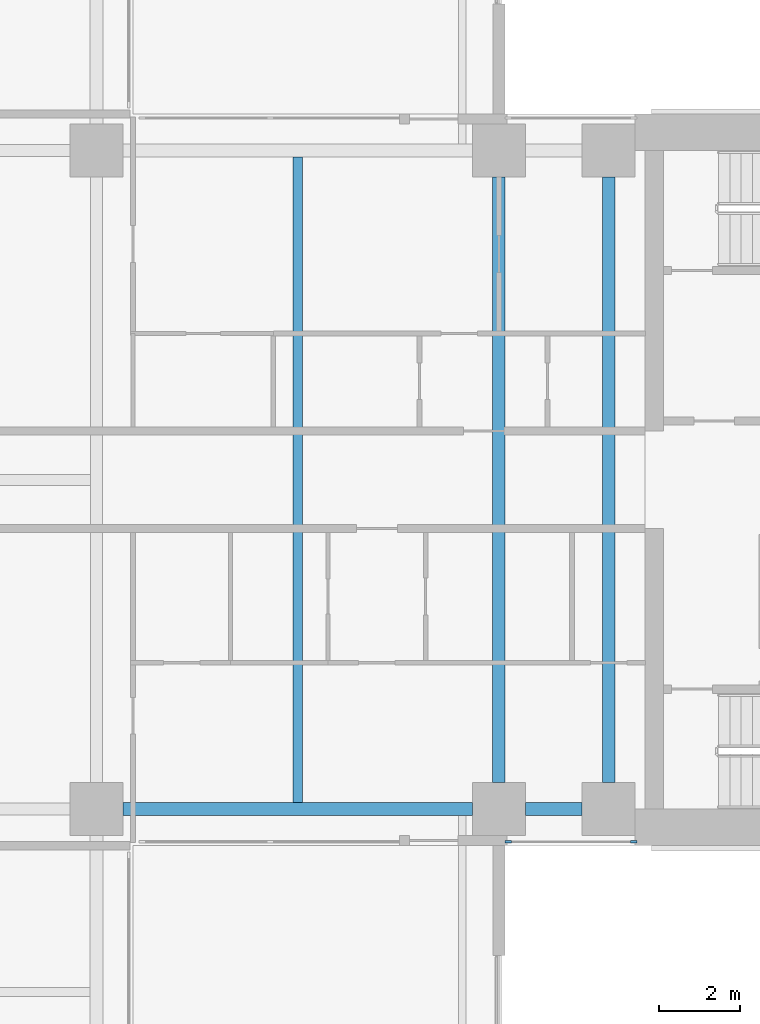
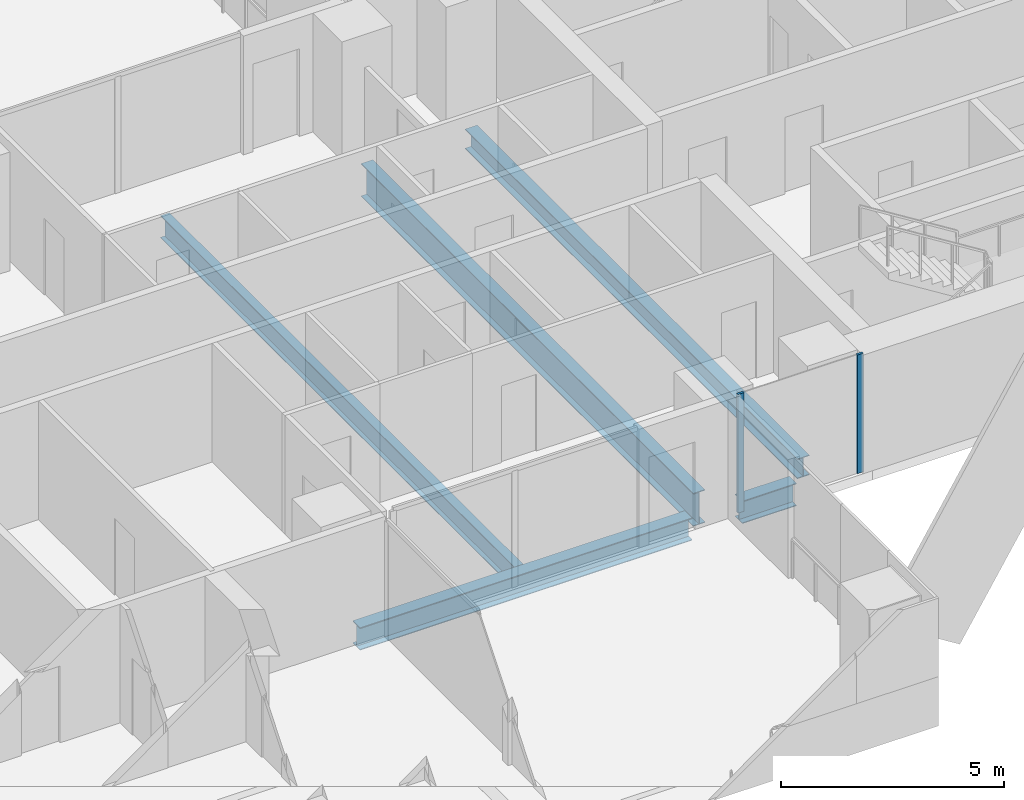
# One storey, part 5 of 21: 5 beams, 2 members, 1 element without a shape of its own.
"""IFC4 building model written with IfcOpenShell, lengths in metres."""

import ifcopenshell
import ifcopenshell.guid

model = None  # the IFC model being written
_history = None  # IfcOwnerHistory: only IFC2X3 demands one
_inside = {}  # id of a spatial element -> (the spatial element, [elements in it])
_under = {}  # id of a project, library or spatial element -> (it, [spatial elements below it])
_declared = {}  # id of a project -> (the project, [libraries it declares])
_typed = {}  # id of a type object -> (the type object, [elements of that type])
_made_of = {}  # id of a material, layer set ... -> (it, [elements and type objects made of it])


def new_model(schema):
    """Start an empty IFC model of exactly this schema.

    Asked for "IFC4X3", IfcOpenShell would pick the latest addendum, in which some entities
    have other attributes; the version numbers below select the first issue.
    IFC2X3 requires an IfcOwnerHistory on every rooted entity: one is made here for all.
    """
    global model, _history
    if schema == "IFC4X3":
        model = ifcopenshell.file(schema_version=(4, 3, 0, 0))
    else:
        model = ifcopenshell.file(schema=schema)
    _inside.clear()
    _under.clear()
    _declared.clear()
    _typed.clear()
    _made_of.clear()
    _history = None
    if model.schema == "IFC2X3":
        org = make("IfcOrganization", Name="unknown")
        user = make(
            "IfcPersonAndOrganization",
            ThePerson=make("IfcPerson", FamilyName="unknown"),
            TheOrganization=org,
        )
        app = make(
            "IfcApplication",
            ApplicationDeveloper=org,
            Version="unknown",
            ApplicationFullName="unknown",
            ApplicationIdentifier="unknown",
        )
        _history = make(
            "IfcOwnerHistory",
            OwningUser=user,
            OwningApplication=app,
            ChangeAction="ADDED",
            CreationDate=0,
        )
    return model


def make(cls, **values):
    """One entity of the class cls with the attributes given. An attribute that is None is left unset."""
    return model.create_entity(
        cls, **{name: value for name, value in values.items() if value is not None}
    )


def rooted(cls, **values):
    """An entity with a GlobalId (a new one), such as an element, a storey or a relation."""
    return make(cls, GlobalId=ifcopenshell.guid.new(), OwnerHistory=_history, **values)


def si_unit(unit_type, name, prefix=None):
    """IfcSIUnit, for example si_unit("LENGTHUNIT", "METRE", prefix="MILLI")."""
    return make("IfcSIUnit", UnitType=unit_type, Prefix=prefix, Name=name)


def assignment(units):
    """IfcUnitAssignment: the units of a project."""
    return None if units is None else make("IfcUnitAssignment", Units=units)


def point(xyz):
    """IfcCartesianPoint."""
    return None if xyz is None else make("IfcCartesianPoint", Coordinates=xyz)


def direction(xyz):
    """IfcDirection."""
    return None if xyz is None else make("IfcDirection", DirectionRatios=xyz)


def frame(location, z_axis=None, x_axis=None):
    """IfcAxis2Placement3D, a coordinate frame: its origin and axes. An axis left out is left unset."""
    return make(
        "IfcAxis2Placement3D",
        Location=point(location),
        Axis=direction(z_axis),
        RefDirection=direction(x_axis),
    )


def frame_2d(location, x_axis=None):
    """IfcAxis2Placement2D, a coordinate frame in the plane: its origin and x axis."""
    return make(
        "IfcAxis2Placement2D", Location=point(location), RefDirection=direction(x_axis)
    )


def origin():
    """The frame at (0, 0, 0) with its axes left unset."""
    return frame((0.0, 0.0, 0.0))


def origin_2d():
    """The frame at (0, 0) in the plane with its x axis left unset."""
    return frame_2d((0.0, 0.0))


def place(relative_to, where):
    """IfcLocalPlacement: puts the frame where relative to a parent placement (None: the world)."""
    return make(
        "IfcLocalPlacement", PlacementRelTo=relative_to, RelativePlacement=where
    )


def context(
    kind, dimensions, precision=None, world=None, true_north=None, identifier=None
):
    """IfcGeometricRepresentationContext, for example the 3D "Model" context."""
    return make(
        "IfcGeometricRepresentationContext",
        ContextIdentifier=identifier,
        ContextType=kind,
        CoordinateSpaceDimension=dimensions,
        Precision=precision,
        WorldCoordinateSystem=world,
        TrueNorth=true_north,
    )


def subcontext(parent, identifier, kind, view, scale=None):
    """IfcGeometricRepresentationSubContext, for example "Body" below "Model"."""
    return make(
        "IfcGeometricRepresentationSubContext",
        ContextIdentifier=identifier,
        ContextType=kind,
        ParentContext=parent,
        TargetScale=scale,
        TargetView=view,
    )


def project(units=None, contexts=None):
    """IfcProject with its units and contexts."""
    return rooted(
        "IfcProject",
        Name="project",
        RepresentationContexts=contexts,
        UnitsInContext=assignment(units),
    )


def spatial(cls, under=None, at=None, **own):
    """A site, building, storey or space (cls), placed at a placement, below another one or the project."""
    s = rooted(cls, ObjectPlacement=at, **own)
    if under is not None:
        _under.setdefault(under.id(), (under, []))[1].append(s)
    return s


def profile(cls, at=None, kind="AREA", **sizes):
    """A parametric profile (cls). Its sizes go by their IFC names, for example OverallWidth=200.0."""
    return make(cls, ProfileType=kind, Position=at, **sizes)


def rectangle(**sizes):
    """IfcRectangleProfileDef."""
    return profile("IfcRectangleProfileDef", **sizes)


def i_section(**sizes):
    """IfcIShapeProfileDef."""
    return profile("IfcIShapeProfileDef", **sizes)


def extrude(swept, where, along, depth):
    """IfcExtrudedAreaSolid: the profile swept, set in the frame where, extruded along a direction by depth."""
    return make(
        "IfcExtrudedAreaSolid",
        SweptArea=swept,
        Position=where,
        ExtrudedDirection=direction(along),
        Depth=depth,
    )


def shape(context_of_items, identifier, shape_type, items):
    """IfcShapeRepresentation: the items that make up one representation, for example the "Body"."""
    return make(
        "IfcShapeRepresentation",
        ContextOfItems=context_of_items,
        RepresentationIdentifier=identifier,
        RepresentationType=shape_type,
        Items=items,
    )


def material(Name=None, Category=None):
    """IfcMaterial."""
    return make("IfcMaterial", Name=Name, Category=Category)


def material_profile(
    of_material, cross_section, Name=None, Category=None, Priority=None
):
    """IfcMaterialProfile: a cross section and its material."""
    return make(
        "IfcMaterialProfile",
        Name=Name,
        Material=of_material,
        Profile=cross_section,
        Priority=Priority,
        Category=Category,
    )


def profile_set(profiles, Name=None, composite=None):
    """IfcMaterialProfileSet."""
    return make(
        "IfcMaterialProfileSet",
        Name=Name,
        MaterialProfiles=profiles,
        CompositeProfile=composite,
    )


def made_of(thing, what):
    """Note that an element or type object is made of a material, layer set ...; save() writes the relation."""
    if what is not None:
        _made_of.setdefault(what.id(), (what, []))[1].append(thing)
    return thing


def type_object(cls, material=None, **own):
    """A type object (cls), such as IfcWallType, which elements share."""
    return made_of(rooted(cls, **own), material)


def element(
    cls,
    number,
    at=None,
    inside=None,
    cuts=None,
    type_object=None,
    material=None,
    context=None,
    identifier="Body",
    shape_type=None,
    held_by="IfcProductDefinitionShape",
    body=None,
    shapes=None,
    **own,
):
    """One element of the class cls, such as IfcWall. Its Tag is "e" and its number.

    at: its placement. inside: the storey or other place that contains it. cuts: it is an
    opening in that element (IfcRelVoidsElement). A single representation is given by context,
    identifier, shape_type and body (its items); several are given by shapes. held_by: the class
    of the entity that holds the representations. save() writes the other relations.
    """
    e = rooted(cls, Tag="e%d" % number, ObjectPlacement=at, **own)
    if body is not None:
        shapes = [shape(context, identifier, shape_type, body)]
    if shapes is not None:
        e.Representation = make(held_by, Representations=shapes)
    if inside is not None:
        _inside.setdefault(inside.id(), (inside, []))[1].append(e)
    if cuts is not None:
        rooted(
            "IfcRelVoidsElement", RelatingBuildingElement=cuts, RelatedOpeningElement=e
        )
    if type_object is not None:
        _typed.setdefault(type_object.id(), (type_object, []))[1].append(e)
    return made_of(e, material)


def aggregate(whole, parts):
    """IfcRelAggregates: a whole, such as a stair, and the parts it consists of."""
    return rooted("IfcRelAggregates", RelatingObject=whole, RelatedObjects=parts)


def save(model, path):
    """Write the relations noted so far, then the file.

    IfcRelAggregates (storeys below a building ...), IfcRelContainedInSpatialStructure (elements
    in a storey), IfcRelDefinesByType, IfcRelAssociatesMaterial and IfcRelDeclares: one each for
    every whole, place, type object, material and project.
    """
    for whole, parts in _under.values():
        aggregate(whole, parts)
    for where, things in _inside.values():
        rooted(
            "IfcRelContainedInSpatialStructure",
            RelatedElements=things,
            RelatingStructure=where,
        )
    for kind, things in _typed.values():
        rooted("IfcRelDefinesByType", RelatedObjects=things, RelatingType=kind)
    for what, things in _made_of.values():
        rooted("IfcRelAssociatesMaterial", RelatedObjects=things, RelatingMaterial=what)
    for by, libraries in _declared.values():
        rooted("IfcRelDeclares", RelatingContext=by, RelatedDefinitions=libraries)
    model.write(path)


model = new_model("IFC4")

# Units and contexts
model_context = context("Model", 3, precision=1e-05, world=origin(), true_north=direction((0.0, 1.0)))
body_context = subcontext(model_context, "Body", "Model", "MODEL_VIEW")
ifc_project = project(units=[si_unit("LENGTHUNIT", "METRE"), si_unit("AREAUNIT", "SQUARE_METRE"), si_unit("VOLUMEUNIT", "CUBIC_METRE"), si_unit("PLANEANGLEUNIT", "RADIAN"), si_unit("MASSUNIT", "GRAM", prefix="KILO")], contexts=[model_context])

# Site, building, storey
site_placement = place(None, origin())
site = spatial("IfcSite", under=ifc_project, at=site_placement, CompositionType="ELEMENT")
building_placement = place(site_placement, origin())
building = spatial("IfcBuilding", under=site, at=building_placement, Name="Perihelion Cross Residences", CompositionType="ELEMENT")
storey_placement = place(building_placement, frame((0.0, 0.0, 75.0)))
storey = spatial("IfcBuildingStorey", under=building, at=storey_placement, Name="L16", CompositionType="ELEMENT", Elevation=75.0)

# Curtain wall, members
ifc_material_1 = material(Name="Bronze anodised aluminium, tinted glazing", Category="aluminium")
curtain_wall_type = type_object("IfcCurtainWallType", Name="CW1", PredefinedType="NOTDEFINED", material=ifc_material_1)
curtain_wall_placement = place(storey_placement, origin())
curtain_wall = element("IfcCurtainWall", 1, at=curtain_wall_placement, inside=storey, type_object=curtain_wall_type, Name="Curtain wall CW1 L16 east side south bay 2", PredefinedType="NOTDEFINED")
ifc_material_2 = material(Name="Bronze anodised aluminium", Category="aluminium")
ifc_material_profile_1 = material_profile(ifc_material_2, rectangle(XDim=0.06005859375, YDim=0.159912109375, at=origin_2d()), Name="CW1 mullion")
ifc_profile_set_1 = profile_set([ifc_material_profile_1], Name="Bronze anodised aluminium")
member_type = type_object("IfcMemberType", Name="CW1 mullion", PredefinedType="MULLION", material=ifc_profile_set_1)
member_1_placement = place(storey_placement, frame((18.22998046875, -8.89990234375, 0.0), z_axis=(0.0, 0.0, 1.0), x_axis=(0.0, 1.0, 0.0)))
member_1 = element("IfcMember", 2, at=member_1_placement, type_object=member_type, Name="CW1 mullion 1", PredefinedType="MULLION", context=body_context, shape_type="SweptSolid", body=[
    extrude(rectangle(XDim=0.06005859375, YDim=0.159912109375, at=origin_2d()), origin(), (0.0, 0.0, 1.0), 3.25),
])
member_2_placement = place(storey_placement, frame((21.320068359375, -8.89990234375, 0.0), z_axis=(0.0, 0.0, 1.0), x_axis=(0.0, 1.0, 0.0)))
member_2 = element("IfcMember", 3, at=member_2_placement, type_object=member_type, Name="CW1 mullion 2", PredefinedType="MULLION", context=body_context, shape_type="SweptSolid", body=[
    extrude(rectangle(XDim=0.06005859375, YDim=0.159912109375, at=origin_2d()), origin(), (0.0, 0.0, 1.0), 3.25),
])
aggregate(curtain_wall, [member_1, member_2])

# Beams
ifc_material_3 = material(Name="Steel S355", Category="steel")
ifc_material_profile_2 = material_profile(ifc_material_3, i_section(OverallWidth=0.31201171875, OverallDepth=0.5439453125, WebThickness=0.0126953125, FlangeThickness=0.020263671875, at=origin_2d()), Name="W530x150")
ifc_profile_set_2 = profile_set([ifc_material_profile_2], Name="Steel S355")
beam_type_1 = type_object("IfcBeamType", Name="Core edge beam W530x150", PredefinedType="BEAM", material=ifc_profile_set_2)
beam_1_placement = place(storey_placement, frame((20.699951171875, -7.449951171875, -0.52197265625), z_axis=(0.0, 1.0, 0.0), x_axis=(-1.0, 0.0, 0.0)))
element("IfcBeam", 4, at=beam_1_placement, inside=storey, type_object=beam_type_1, Name="Core edge beam TB4 L16 no. 2", PredefinedType="BEAM", context=body_context, shape_type="SweptSolid", body=[
    extrude(i_section(OverallWidth=0.31201171875, OverallDepth=0.5439453125, WebThickness=0.0126953125, FlangeThickness=0.020263671875, at=origin_2d()), origin(), (0.0, 0.0, 1.0), 14.89990234375),
])
ifc_material_4 = material(Name="Steel S355", Category="steel")
ifc_material_profile_3 = material_profile(ifc_material_4, i_section(OverallWidth=0.324951171875, OverallDepth=0.616943359375, WebThickness=0.013916015625, FlangeThickness=0.021484375, at=origin_2d()), Name="W610x174")
ifc_profile_set_3 = profile_set([ifc_material_profile_3], Name="Steel S355")
beam_type_2 = type_object("IfcBeamType", Name="Edge beam W610x174", PredefinedType="SPANDREL", material=ifc_profile_set_3)
beam_2_placement = place(storey_placement, frame((8.75, -8.10009765625, -0.55859375), z_axis=(1.0, 0.0, 0.0), x_axis=(0.0, 1.0, 0.0)))
element("IfcBeam", 5, at=beam_2_placement, inside=storey, type_object=beam_type_2, Name="Edge beam SB2 L16 no. 18", PredefinedType="SPANDREL", context=body_context, shape_type="SweptSolid", body=[
    extrude(i_section(OverallWidth=0.324951171875, OverallDepth=0.616943359375, WebThickness=0.013916015625, FlangeThickness=0.021484375, at=origin_2d()), origin(), (0.0, 0.0, 1.0), 8.60009765625),
])
beam_3_placement = place(storey_placement, frame((18.64990234375, -8.10009765625, -0.55859375), z_axis=(1.0, 0.0, 0.0), x_axis=(0.0, 1.0, 0.0)))
element("IfcBeam", 6, at=beam_3_placement, inside=storey, type_object=beam_type_2, Name="Edge beam SB2 L16 no. 12", PredefinedType="SPANDREL", context=body_context, shape_type="SweptSolid", body=[
    extrude(i_section(OverallWidth=0.324951171875, OverallDepth=0.616943359375, WebThickness=0.013916015625, FlangeThickness=0.021484375, at=origin_2d()), origin(), (0.0, 0.0, 1.0), 1.400146484375),
])
ifc_material_5 = material(Name="Steel S355", Category="steel")
ifc_material_profile_4 = material_profile(ifc_material_5, i_section(OverallWidth=0.304931640625, OverallDepth=0.904052734375, WebThickness=0.01513671875, FlangeThickness=0.02001953125, at=origin_2d()), Name="W920x201")
ifc_profile_set_4 = profile_set([ifc_material_profile_4], Name="Steel S355")
beam_type_3 = type_object("IfcBeamType", Name="Floor girder W920x201", PredefinedType="BEAM", material=ifc_profile_set_4)
beam_4_placement = place(storey_placement, frame((18.0, -7.449951171875, -0.701904296875), z_axis=(0.0, 1.0, 0.0), x_axis=(-1.0, 0.0, 0.0)))
element("IfcBeam", 7, at=beam_4_placement, inside=storey, type_object=beam_type_3, Name="Girder G2 L16 no. 2", PredefinedType="BEAM", context=body_context, shape_type="SweptSolid", body=[
    extrude(i_section(OverallWidth=0.304931640625, OverallDepth=0.904052734375, WebThickness=0.01513671875, FlangeThickness=0.02001953125, at=origin_2d()), origin(), (0.0, 0.0, 1.0), 14.89990234375),
])
ifc_material_6 = material(Name="Steel S355", Category="steel")
ifc_material_profile_5 = material_profile(ifc_material_6, i_section(OverallWidth=0.22900390625, OverallDepth=0.612060546875, WebThickness=0.011962890625, FlangeThickness=0.01953125, at=origin_2d()), Name="W610x125")
ifc_profile_set_5 = profile_set([ifc_material_profile_5], Name="Steel S355")
beam_type_4 = type_object("IfcBeamType", Name="Floor joist W610x125", PredefinedType="JOIST", material=ifc_profile_set_5)
beam_5_placement = place(storey_placement, frame((13.050048828125, -7.9375, -0.555908203125), z_axis=(0.0, 1.0, 0.0), x_axis=(-1.0, 0.0, 0.0)))
element("IfcBeam", 8, at=beam_5_placement, inside=storey, type_object=beam_type_4, Name="Joist J3 L16 no. 2", PredefinedType="JOIST", context=body_context, shape_type="SweptSolid", body=[
    extrude(i_section(OverallWidth=0.22900390625, OverallDepth=0.612060546875, WebThickness=0.011962890625, FlangeThickness=0.01953125, at=origin_2d()), origin(), (0.0, 0.0, 1.0), 15.875),
])

save(model, "model.ifc")
